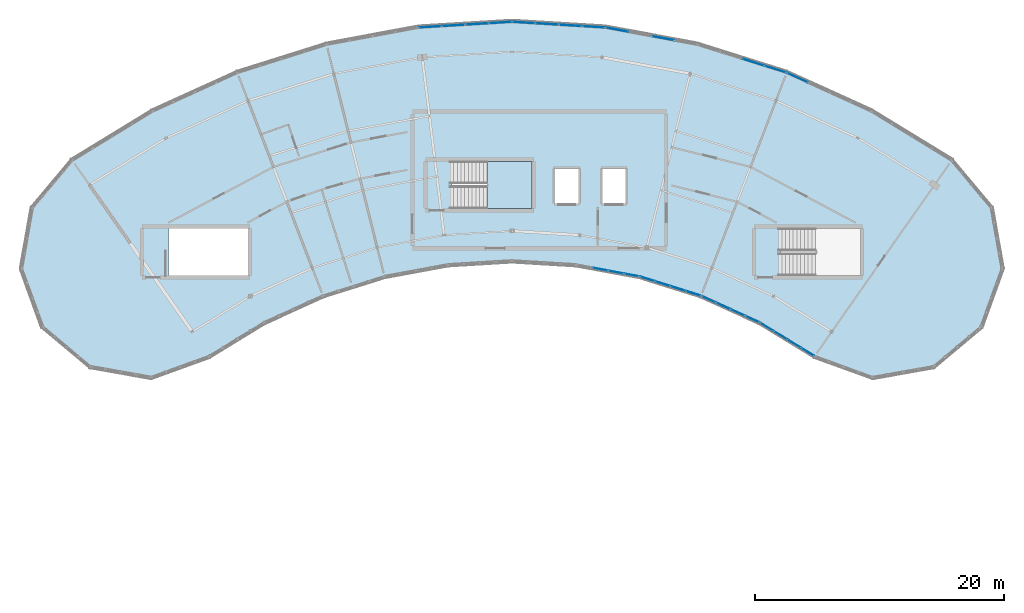
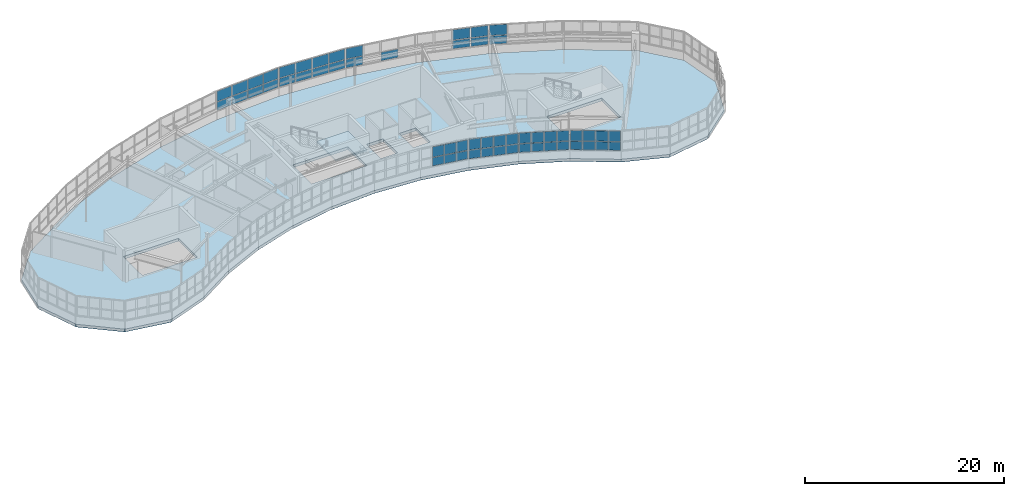
# One storey, part 43 of 60: 55 plates, 2 slabs, 10 elements without a shape of their own.
"""IFC4 building model written with IfcOpenShell, lengths in metres."""

from ifc_helpers import new_model, si_unit, direction, frame, origin, origin_2d, place, context, subcontext, project, spatial, polyline, rectangle, outline, extrude, material, layer, layer_set, type_object, element, aggregate, save


model = new_model("IFC4")

# Units and contexts
model_context = context("Model", 3, precision=1e-05, world=origin(), true_north=direction((0.0, 1.0)))
body_context = subcontext(model_context, "Body", "Model", "MODEL_VIEW")
ifc_project = project(units=[si_unit("LENGTHUNIT", "METRE"), si_unit("AREAUNIT", "SQUARE_METRE"), si_unit("VOLUMEUNIT", "CUBIC_METRE"), si_unit("PLANEANGLEUNIT", "RADIAN"), si_unit("MASSUNIT", "GRAM", prefix="KILO")], contexts=[model_context])

# Site, building, storey
site_placement = place(None, origin())
site = spatial("IfcSite", under=ifc_project, at=site_placement, CompositionType="ELEMENT")
building_placement = place(site_placement, origin())
building = spatial("IfcBuilding", under=site, at=building_placement, Name="Tarnwether General Hospital", CompositionType="ELEMENT")
storey_placement = place(building_placement, frame((0.0, 0.0, 26.10009765625)))
storey = spatial("IfcBuildingStorey", under=building, at=storey_placement, Name="L06", CompositionType="ELEMENT", Elevation=26.10009765625)

# Curtain wall, plates
ifc_material_1 = material(Name="Anodised aluminium", Category="aluminium")
ifc_layer_1 = layer(ifc_material_1, 0.159912109375)
ifc_layer_set_1 = layer_set([ifc_layer_1], Name="Anodised aluminium")
curtain_wall_type_1 = type_object("IfcCurtainWallType", Name="CW-04", PredefinedType="NOTDEFINED", material=ifc_layer_set_1)
curtain_wall_1_placement = place(storey_placement, origin())
curtain_wall_1 = element("IfcCurtainWall", 1, at=curtain_wall_1_placement, inside=storey, type_object=curtain_wall_type_1, Name="Curtain Wall CWG-L06-1023_1041-0108", PredefinedType="NOTDEFINED")
ifc_material_2 = material(Name="Double glazed low-E glass", Category="glass")
ifc_layer_2 = layer(ifc_material_2, 0.028076171875)
ifc_layer_set_2 = layer_set([ifc_layer_2], Name="Double glazed low-E glass")
plate_type_1 = type_object("IfcPlateType", Name="PT-CWP1", PredefinedType="CURTAIN_PANEL", material=ifc_layer_set_2)
plate_1_placement = place(storey_placement, frame((101.60107421875, 104.262451171875, 1.1298828125), z_axis=(0.0, 0.0, 1.0), x_axis=(-0.983267910924, 0.182165351666, 0.0)))
plate_1 = element("IfcPlate", 2, at=plate_1_placement, type_object=plate_type_1, Name="CW-04 panel 1.1", PredefinedType="CURTAIN_PANEL", context=body_context, shape_type="SweptSolid", body=[
    extrude(rectangle(XDim=1.174072265625, YDim=0.028076171875, at=origin_2d()), origin(), (0.0, 0.0, 1.0), 1.002685546875),
])
plate_2_placement = place(storey_placement, frame((101.60107421875, 104.262451171875, 2.212890625), z_axis=(0.0, 0.0, 1.0), x_axis=(-0.983267910924, 0.182165351666, 0.0)))
plate_2 = element("IfcPlate", 3, at=plate_2_placement, type_object=plate_type_1, Name="CW-04 panel 1.2", PredefinedType="CURTAIN_PANEL", context=body_context, shape_type="SweptSolid", body=[
    extrude(rectangle(XDim=1.174072265625, YDim=0.028076171875, at=origin_2d()), origin(), (0.0, 0.0, 1.0), 1.252197265625),
])
plate_3_placement = place(storey_placement, frame((100.34814453125, 104.49462890625, 1.1298828125), z_axis=(0.0, 0.0, 1.0), x_axis=(-0.983267910924, 0.182165351666, 0.0)))
plate_3 = element("IfcPlate", 4, at=plate_3_placement, type_object=plate_type_1, Name="CW-04 panel 2.1", PredefinedType="CURTAIN_PANEL", context=body_context, shape_type="SweptSolid", body=[
    extrude(rectangle(XDim=1.214111328125, YDim=0.028076171875, at=origin_2d()), origin(), (0.0, 0.0, 1.0), 1.002685546875),
])
plate_4_placement = place(storey_placement, frame((100.34814453125, 104.49462890625, 2.212890625), z_axis=(0.0, 0.0, 1.0), x_axis=(-0.983267910924, 0.182165351666, 0.0)))
plate_4 = element("IfcPlate", 5, at=plate_4_placement, type_object=plate_type_1, Name="CW-04 panel 2.2", PredefinedType="CURTAIN_PANEL", context=body_context, shape_type="SweptSolid", body=[
    extrude(rectangle(XDim=1.214111328125, YDim=0.028076171875, at=origin_2d()), origin(), (0.0, 0.0, 1.0), 1.252197265625),
])
plate_5_placement = place(storey_placement, frame((99.07568359375, 104.73046875, 1.1298828125), z_axis=(0.0, 0.0, 1.0), x_axis=(-0.983267910924, 0.182165351666, 0.0)))
plate_5 = element("IfcPlate", 6, at=plate_5_placement, type_object=plate_type_1, Name="CW-04 panel 3.1", PredefinedType="CURTAIN_PANEL", context=body_context, shape_type="SweptSolid", body=[
    extrude(rectangle(XDim=1.214111328125, YDim=0.028076171875, at=origin_2d()), origin(), (0.0, 0.0, 1.0), 1.002685546875),
])
plate_6_placement = place(storey_placement, frame((99.07568359375, 104.73046875, 2.212890625), z_axis=(0.0, 0.0, 1.0), x_axis=(-0.983267910924, 0.182165351666, 0.0)))
plate_6 = element("IfcPlate", 7, at=plate_6_placement, type_object=plate_type_1, Name="CW-04 panel 3.2", PredefinedType="CURTAIN_PANEL", context=body_context, shape_type="SweptSolid", body=[
    extrude(rectangle(XDim=1.214111328125, YDim=0.028076171875, at=origin_2d()), origin(), (0.0, 0.0, 1.0), 1.252197265625),
])
aggregate(curtain_wall_1, [plate_1, plate_2, plate_3, plate_4, plate_5, plate_6])

curtain_wall_2_placement = place(storey_placement, origin())
curtain_wall_2 = element("IfcCurtainWall", 8, at=curtain_wall_2_placement, inside=storey, type_object=curtain_wall_type_1, Name="Curtain Wall CWG-L06-1119_1004-0110", PredefinedType="NOTDEFINED")
plate_7_placement = place(storey_placement, frame((111.30126953125, 100.712646484375, 1.1201171875), z_axis=(0.0, 0.0, 1.0), x_axis=(-0.90995590549, 0.41470501572, 0.0)))
plate_7 = element("IfcPlate", 9, at=plate_7_placement, type_object=plate_type_1, Name="CW-04 panel 1.1", PredefinedType="CURTAIN_PANEL", context=body_context, shape_type="SweptSolid", body=[
    extrude(rectangle(XDim=1.189208984375, YDim=0.028076171875, at=origin_2d()), origin(), (0.0, 0.0, 1.0), 1.017822265625),
])
plate_8_placement = place(storey_placement, frame((111.30126953125, 100.712646484375, 2.207763671875), z_axis=(0.0, 0.0, 1.0), x_axis=(-0.90995590549, 0.41470501572, 0.0)))
plate_8 = element("IfcPlate", 10, at=plate_8_placement, type_object=plate_type_1, Name="CW-04 panel 1.2", PredefinedType="CURTAIN_PANEL", context=body_context, shape_type="SweptSolid", body=[
    extrude(rectangle(XDim=1.189208984375, YDim=0.028076171875, at=origin_2d()), origin(), (0.0, 0.0, 1.0), 1.26708984375),
])
plate_9_placement = place(storey_placement, frame((110.139404296875, 101.2421875, 1.1201171875), z_axis=(0.0, 0.0, 1.0), x_axis=(-0.90995590549, 0.41470501572, 0.0)))
plate_9 = element("IfcPlate", 11, at=plate_9_placement, type_object=plate_type_1, Name="CW-04 panel 2.1", PredefinedType="CURTAIN_PANEL", context=body_context, shape_type="SweptSolid", body=[
    extrude(rectangle(XDim=1.224365234375, YDim=0.028076171875, at=origin_2d()), origin(), (0.0, 0.0, 1.0), 1.017822265625),
])
plate_10_placement = place(storey_placement, frame((110.139404296875, 101.2421875, 2.207763671875), z_axis=(0.0, 0.0, 1.0), x_axis=(-0.90995590549, 0.41470501572, 0.0)))
plate_10 = element("IfcPlate", 12, at=plate_10_placement, type_object=plate_type_1, Name="CW-04 panel 2.2", PredefinedType="CURTAIN_PANEL", context=body_context, shape_type="SweptSolid", body=[
    extrude(rectangle(XDim=1.224365234375, YDim=0.028076171875, at=origin_2d()), origin(), (0.0, 0.0, 1.0), 1.26708984375),
])
plate_11_placement = place(storey_placement, frame((108.961669921875, 101.77880859375, 1.1201171875), z_axis=(0.0, 0.0, 1.0), x_axis=(-0.90995590549, 0.41470501572, 0.0)))
plate_11 = element("IfcPlate", 13, at=plate_11_placement, type_object=plate_type_1, Name="CW-04 panel 3.1", PredefinedType="CURTAIN_PANEL", context=body_context, shape_type="SweptSolid", body=[
    extrude(rectangle(XDim=1.224365234375, YDim=0.028076171875, at=origin_2d()), origin(), (0.0, 0.0, 1.0), 1.017822265625),
])
plate_12_placement = place(storey_placement, frame((108.961669921875, 101.77880859375, 2.207763671875), z_axis=(0.0, 0.0, 1.0), x_axis=(-0.90995590549, 0.41470501572, 0.0)))
plate_12 = element("IfcPlate", 14, at=plate_12_placement, type_object=plate_type_1, Name="CW-04 panel 3.2", PredefinedType="CURTAIN_PANEL", context=body_context, shape_type="SweptSolid", body=[
    extrude(rectangle(XDim=1.224365234375, YDim=0.028076171875, at=origin_2d()), origin(), (0.0, 0.0, 1.0), 1.26708984375),
])
plate_13_placement = place(storey_placement, frame((107.7998046875, 102.308349609375, 1.1201171875), z_axis=(0.0, 0.0, 1.0), x_axis=(-0.90995590549, 0.41470501572, 0.0)))
plate_13 = element("IfcPlate", 15, at=plate_13_placement, type_object=plate_type_1, Name="CW-04 panel 4.1", PredefinedType="CURTAIN_PANEL", context=body_context, shape_type="SweptSolid", body=[
    extrude(rectangle(XDim=1.189208984375, YDim=0.028076171875, at=origin_2d()), origin(), (0.0, 0.0, 1.0), 1.017822265625),
])
plate_14_placement = place(storey_placement, frame((107.7998046875, 102.308349609375, 2.207763671875), z_axis=(0.0, 0.0, 1.0), x_axis=(-0.90995590549, 0.41470501572, 0.0)))
plate_14 = element("IfcPlate", 16, at=plate_14_placement, type_object=plate_type_1, Name="CW-04 panel 4.2", PredefinedType="CURTAIN_PANEL", context=body_context, shape_type="SweptSolid", body=[
    extrude(rectangle(XDim=1.189208984375, YDim=0.028076171875, at=origin_2d()), origin(), (0.0, 0.0, 1.0), 1.26708984375),
])
aggregate(curtain_wall_2, [plate_7, plate_8, plate_9, plate_10, plate_11, plate_12, plate_13, plate_14])

curtain_wall_3_placement = place(storey_placement, origin())
curtain_wall_3 = element("IfcCurtainWall", 17, at=curtain_wall_3_placement, inside=storey, type_object=curtain_wall_type_1, Name="Curtain Wall CWG-L06-1163_977-0111", PredefinedType="NOTDEFINED")
plate_15_placement = place(storey_placement, frame((115.75439453125, 98.07861328125, 1.11474609375), z_axis=(0.0, 0.0, 1.0), x_axis=(-0.852631789198, 0.522512231483, 0.0)))
plate_15 = element("IfcPlate", 18, at=plate_15_placement, type_object=plate_type_1, Name="CW-04 panel 1.1", PredefinedType="CURTAIN_PANEL", context=body_context, shape_type="SweptSolid", body=[
    extrude(rectangle(XDim=1.19677734375, YDim=0.028076171875, at=origin_2d()), origin(), (0.0, 0.0, 1.0), 1.025390625),
])
plate_16_placement = place(storey_placement, frame((115.75439453125, 98.07861328125, 2.205078125), z_axis=(0.0, 0.0, 1.0), x_axis=(-0.852631789198, 0.522512231483, 0.0)))
plate_16 = element("IfcPlate", 19, at=plate_16_placement, type_object=plate_type_1, Name="CW-04 panel 1.2", PredefinedType="CURTAIN_PANEL", context=body_context, shape_type="SweptSolid", body=[
    extrude(rectangle(XDim=1.19677734375, YDim=0.028076171875, at=origin_2d()), origin(), (0.0, 0.0, 1.0), 1.274658203125),
])
plate_17_placement = place(storey_placement, frame((114.664794921875, 98.746337890625, 1.11474609375), z_axis=(0.0, 0.0, 1.0), x_axis=(-0.852631789198, 0.522512231483, 0.0)))
plate_17 = element("IfcPlate", 20, at=plate_17_placement, type_object=plate_type_1, Name="CW-04 panel 2.1", PredefinedType="CURTAIN_PANEL", context=body_context, shape_type="SweptSolid", body=[
    extrude(rectangle(XDim=1.229248046875, YDim=0.028076171875, at=origin_2d()), origin(), (0.0, 0.0, 1.0), 1.025390625),
])
plate_18_placement = place(storey_placement, frame((114.664794921875, 98.746337890625, 2.205078125), z_axis=(0.0, 0.0, 1.0), x_axis=(-0.852631789198, 0.522512231483, 0.0)))
plate_18 = element("IfcPlate", 21, at=plate_18_placement, type_object=plate_type_1, Name="CW-04 panel 2.2", PredefinedType="CURTAIN_PANEL", context=body_context, shape_type="SweptSolid", body=[
    extrude(rectangle(XDim=1.229248046875, YDim=0.028076171875, at=origin_2d()), origin(), (0.0, 0.0, 1.0), 1.274658203125),
])
plate_19_placement = place(storey_placement, frame((113.561279296875, 99.422607421875, 1.11474609375), z_axis=(0.0, 0.0, 1.0), x_axis=(-0.852631789198, 0.522512231483, 0.0)))
plate_19 = element("IfcPlate", 22, at=plate_19_placement, type_object=plate_type_1, Name="CW-04 panel 3.1", PredefinedType="CURTAIN_PANEL", context=body_context, shape_type="SweptSolid", body=[
    extrude(rectangle(XDim=1.229248046875, YDim=0.028076171875, at=origin_2d()), origin(), (0.0, 0.0, 1.0), 1.025390625),
])
plate_20_placement = place(storey_placement, frame((113.561279296875, 99.422607421875, 2.205078125), z_axis=(0.0, 0.0, 1.0), x_axis=(-0.852631789198, 0.522512231483, 0.0)))
plate_20 = element("IfcPlate", 23, at=plate_20_placement, type_object=plate_type_1, Name="CW-04 panel 3.2", PredefinedType="CURTAIN_PANEL", context=body_context, shape_type="SweptSolid", body=[
    extrude(rectangle(XDim=1.229248046875, YDim=0.028076171875, at=origin_2d()), origin(), (0.0, 0.0, 1.0), 1.274658203125),
])
plate_21_placement = place(storey_placement, frame((112.4716796875, 100.09033203125, 1.11474609375), z_axis=(0.0, 0.0, 1.0), x_axis=(-0.852631789198, 0.522512231483, 0.0)))
plate_21 = element("IfcPlate", 24, at=plate_21_placement, type_object=plate_type_1, Name="CW-04 panel 4.1", PredefinedType="CURTAIN_PANEL", context=body_context, shape_type="SweptSolid", body=[
    extrude(rectangle(XDim=1.19677734375, YDim=0.028076171875, at=origin_2d()), origin(), (0.0, 0.0, 1.0), 1.025390625),
])
plate_22_placement = place(storey_placement, frame((112.4716796875, 100.09033203125, 2.205078125), z_axis=(0.0, 0.0, 1.0), x_axis=(-0.852631789198, 0.522512231483, 0.0)))
plate_22 = element("IfcPlate", 25, at=plate_22_placement, type_object=plate_type_1, Name="CW-04 panel 4.2", PredefinedType="CURTAIN_PANEL", context=body_context, shape_type="SweptSolid", body=[
    extrude(rectangle(XDim=1.19677734375, YDim=0.028076171875, at=origin_2d()), origin(), (0.0, 0.0, 1.0), 1.274658203125),
])
aggregate(curtain_wall_3, [plate_15, plate_16, plate_17, plate_18, plate_19, plate_20, plate_21, plate_22])

ifc_material_3 = material(Name="Anodised aluminium", Category="aluminium")
ifc_layer_3 = layer(ifc_material_3, 0.179931640625)
ifc_layer_set_3 = layer_set([ifc_layer_3], Name="Anodised aluminium")
curtain_wall_type_2 = type_object("IfcCurtainWallType", Name="CW-06", PredefinedType="NOTDEFINED", material=ifc_layer_set_3)
curtain_wall_4_placement = place(storey_placement, origin())
curtain_wall_4 = element("IfcCurtainWall", 26, at=curtain_wall_4_placement, inside=storey, type_object=curtain_wall_type_2, Name="Curtain Wall CWG-L06-1141_1205-0119", PredefinedType="NOTDEFINED")
plate_23_placement = place(storey_placement, frame((114.9453125, 120.1123046875, 1.11474609375), z_axis=(0.0, 0.0, 1.0), x_axis=(0.909960793886, -0.414694289316, 0.0)))
plate_23 = element("IfcPlate", 27, at=plate_23_placement, type_object=plate_type_1, Name="CW-06 panel 1.1", PredefinedType="CURTAIN_PANEL", context=body_context, shape_type="SweptSolid", body=[
    extrude(rectangle(XDim=1.78271484375, YDim=0.028076171875, at=origin_2d()), origin(), (0.0, 0.0, 1.0), 1.025390625),
])
plate_24_placement = place(storey_placement, frame((114.9453125, 120.1123046875, 2.205078125), z_axis=(0.0, 0.0, 1.0), x_axis=(0.909960793886, -0.414694289316, 0.0)))
plate_24 = element("IfcPlate", 28, at=plate_24_placement, type_object=plate_type_1, Name="CW-06 panel 1.2", PredefinedType="CURTAIN_PANEL", context=body_context, shape_type="SweptSolid", body=[
    extrude(rectangle(XDim=1.78271484375, YDim=0.028076171875, at=origin_2d()), origin(), (0.0, 0.0, 1.0), 1.274658203125),
])
aggregate(curtain_wall_4, [plate_23, plate_24])

curtain_wall_5_placement = place(storey_placement, origin())
curtain_wall_5 = element("IfcCurtainWall", 29, at=curtain_wall_5_placement, inside=storey, type_object=curtain_wall_type_2, Name="Curtain Wall CWG-L06-1069_1228-0120", PredefinedType="NOTDEFINED")
plate_25_placement = place(storey_placement, frame((111.385009765625, 121.35693359375, 1.1298828125), z_axis=(0.0, 0.0, 1.0), x_axis=(0.953741284032, -0.300628613299, 0.0)))
plate_25 = element("IfcPlate", 30, at=plate_25_placement, type_object=plate_type_1, Name="CW-06 panel 3.1", PredefinedType="CURTAIN_PANEL", context=body_context, shape_type="SweptSolid", body=[
    extrude(rectangle(XDim=1.80029296875, YDim=0.028076171875, at=origin_2d()), origin(), (0.0, 0.0, 1.0), 1.002685546875),
])
plate_26_placement = place(storey_placement, frame((111.385009765625, 121.35693359375, 2.212890625), z_axis=(0.0, 0.0, 1.0), x_axis=(0.953741284032, -0.300628613299, 0.0)))
plate_26 = element("IfcPlate", 31, at=plate_26_placement, type_object=plate_type_1, Name="CW-06 panel 3.2", PredefinedType="CURTAIN_PANEL", context=body_context, shape_type="SweptSolid", body=[
    extrude(rectangle(XDim=1.80029296875, YDim=0.028076171875, at=origin_2d()), origin(), (0.0, 0.0, 1.0), 1.252197265625),
])
plate_27_placement = place(storey_placement, frame((113.1591796875, 120.797607421875, 1.1298828125), z_axis=(0.0, 0.0, 1.0), x_axis=(0.953741284032, -0.300628613299, 0.0)))
plate_27 = element("IfcPlate", 32, at=plate_27_placement, type_object=plate_type_1, Name="CW-06 panel 4.1", PredefinedType="CURTAIN_PANEL", context=body_context, shape_type="SweptSolid", body=[
    extrude(rectangle(XDim=1.76025390625, YDim=0.028076171875, at=origin_2d()), origin(), (0.0, 0.0, 1.0), 1.002685546875),
])
plate_28_placement = place(storey_placement, frame((113.1591796875, 120.797607421875, 2.212890625), z_axis=(0.0, 0.0, 1.0), x_axis=(0.953741284032, -0.300628613299, 0.0)))
plate_28 = element("IfcPlate", 33, at=plate_28_placement, type_object=plate_type_1, Name="CW-06 panel 4.2", PredefinedType="CURTAIN_PANEL", context=body_context, shape_type="SweptSolid", body=[
    extrude(rectangle(XDim=1.76025390625, YDim=0.028076171875, at=origin_2d()), origin(), (0.0, 0.0, 1.0), 1.252197265625),
])
aggregate(curtain_wall_5, [plate_25, plate_26, plate_27, plate_28])

curtain_wall_6_placement = place(storey_placement, origin())
curtain_wall_6 = element("IfcCurtainWall", 34, at=curtain_wall_6_placement, inside=storey, type_object=curtain_wall_type_2, Name="Curtain Wall CWG-L06-920_1246-0122", PredefinedType="NOTDEFINED")
plate_29_placement = place(storey_placement, frame((92.955810546875, 124.54150390625, 1.1201171875), z_axis=(0.0, 0.0, 1.0), x_axis=(0.998135995608, -0.061028962567, 0.0)))
plate_29 = element("IfcPlate", 35, at=plate_29_placement, type_object=plate_type_1, Name="CW-06 panel 1.1", PredefinedType="CURTAIN_PANEL", context=body_context, shape_type="SweptSolid", body=[
    extrude(rectangle(XDim=1.775146484375, YDim=0.028076171875, at=origin_2d()), origin(), (0.0, 0.0, 1.0), 1.017822265625),
])
plate_30_placement = place(storey_placement, frame((92.955810546875, 124.54150390625, 2.207763671875), z_axis=(0.0, 0.0, 1.0), x_axis=(0.998135995608, -0.061028962567, 0.0)))
plate_30 = element("IfcPlate", 36, at=plate_30_placement, type_object=plate_type_1, Name="CW-06 panel 1.2", PredefinedType="CURTAIN_PANEL", context=body_context, shape_type="SweptSolid", body=[
    extrude(rectangle(XDim=1.775146484375, YDim=0.028076171875, at=origin_2d()), origin(), (0.0, 0.0, 1.0), 1.26708984375),
])
plate_31_placement = place(storey_placement, frame((94.815185546875, 124.427978515625, 1.1201171875), z_axis=(0.0, 0.0, 1.0), x_axis=(0.998135995608, -0.061028962567, 0.0)))
plate_31 = element("IfcPlate", 37, at=plate_31_placement, type_object=plate_type_1, Name="CW-06 panel 2.1", PredefinedType="CURTAIN_PANEL", context=body_context, shape_type="SweptSolid", body=[
    extrude(rectangle(XDim=1.810302734375, YDim=0.028076171875, at=origin_2d()), origin(), (0.0, 0.0, 1.0), 1.017822265625),
])
plate_32_placement = place(storey_placement, frame((94.815185546875, 124.427978515625, 2.207763671875), z_axis=(0.0, 0.0, 1.0), x_axis=(0.998135995608, -0.061028962567, 0.0)))
plate_32 = element("IfcPlate", 38, at=plate_32_placement, type_object=plate_type_1, Name="CW-06 panel 2.2", PredefinedType="CURTAIN_PANEL", context=body_context, shape_type="SweptSolid", body=[
    extrude(rectangle(XDim=1.810302734375, YDim=0.028076171875, at=origin_2d()), origin(), (0.0, 0.0, 1.0), 1.26708984375),
])
plate_33_placement = place(storey_placement, frame((96.69189453125, 124.313232421875, 1.1201171875), z_axis=(0.0, 0.0, 1.0), x_axis=(0.998135995608, -0.061028962567, 0.0)))
plate_33 = element("IfcPlate", 39, at=plate_33_placement, type_object=plate_type_1, Name="CW-06 panel 3.1", PredefinedType="CURTAIN_PANEL", context=body_context, shape_type="SweptSolid", body=[
    extrude(rectangle(XDim=1.810302734375, YDim=0.028076171875, at=origin_2d()), origin(), (0.0, 0.0, 1.0), 1.017822265625),
])
plate_34_placement = place(storey_placement, frame((96.69189453125, 124.313232421875, 2.207763671875), z_axis=(0.0, 0.0, 1.0), x_axis=(0.998135995608, -0.061028962567, 0.0)))
plate_34 = element("IfcPlate", 40, at=plate_34_placement, type_object=plate_type_1, Name="CW-06 panel 3.2", PredefinedType="CURTAIN_PANEL", context=body_context, shape_type="SweptSolid", body=[
    extrude(rectangle(XDim=1.810302734375, YDim=0.028076171875, at=origin_2d()), origin(), (0.0, 0.0, 1.0), 1.26708984375),
])
plate_35_placement = place(storey_placement, frame((98.55126953125, 124.199462890625, 1.1201171875), z_axis=(0.0, 0.0, 1.0), x_axis=(0.998135995608, -0.061028962567, 0.0)))
plate_35 = element("IfcPlate", 41, at=plate_35_placement, type_object=plate_type_1, Name="CW-06 panel 4.1", PredefinedType="CURTAIN_PANEL", context=body_context, shape_type="SweptSolid", body=[
    extrude(rectangle(XDim=1.775146484375, YDim=0.028076171875, at=origin_2d()), origin(), (0.0, 0.0, 1.0), 1.017822265625),
])
plate_36_placement = place(storey_placement, frame((98.55126953125, 124.199462890625, 2.207763671875), z_axis=(0.0, 0.0, 1.0), x_axis=(0.998135995608, -0.061028962567, 0.0)))
plate_36 = element("IfcPlate", 42, at=plate_36_placement, type_object=plate_type_1, Name="CW-06 panel 4.2", PredefinedType="CURTAIN_PANEL", context=body_context, shape_type="SweptSolid", body=[
    extrude(rectangle(XDim=1.775146484375, YDim=0.028076171875, at=origin_2d()), origin(), (0.0, 0.0, 1.0), 1.26708984375),
])
aggregate(curtain_wall_6, [plate_29, plate_30, plate_31, plate_32, plate_33, plate_34, plate_35, plate_36])

curtain_wall_7_placement = place(storey_placement, origin())
curtain_wall_7 = element("IfcCurtainWall", 43, at=curtain_wall_7_placement, inside=storey, type_object=curtain_wall_type_2, Name="Curtain Wall CWG-L06-845_1241-0123", PredefinedType="NOTDEFINED")
plate_37_placement = place(storey_placement, frame((85.447509765625, 124.199462890625, 1.11474609375), z_axis=(0.0, 0.0, 1.0), x_axis=(0.998135995608, 0.061028962567, 0.0)))
plate_37 = element("IfcPlate", 44, at=plate_37_placement, type_object=plate_type_1, Name="CW-06 panel 1.1", PredefinedType="CURTAIN_PANEL", context=body_context, shape_type="SweptSolid", body=[
    extrude(rectangle(XDim=1.78271484375, YDim=0.028076171875, at=origin_2d()), origin(), (0.0, 0.0, 1.0), 1.025390625),
])
plate_38_placement = place(storey_placement, frame((85.447509765625, 124.199462890625, 2.205078125), z_axis=(0.0, 0.0, 1.0), x_axis=(0.998135995608, 0.061028962567, 0.0)))
plate_38 = element("IfcPlate", 45, at=plate_38_placement, type_object=plate_type_1, Name="CW-06 panel 1.2", PredefinedType="CURTAIN_PANEL", context=body_context, shape_type="SweptSolid", body=[
    extrude(rectangle(XDim=1.78271484375, YDim=0.028076171875, at=origin_2d()), origin(), (0.0, 0.0, 1.0), 1.274658203125),
])
plate_39_placement = place(storey_placement, frame((87.30810546875, 124.313232421875, 1.11474609375), z_axis=(0.0, 0.0, 1.0), x_axis=(0.998135995608, 0.061028962567, 0.0)))
plate_39 = element("IfcPlate", 46, at=plate_39_placement, type_object=plate_type_1, Name="CW-06 panel 2.1", PredefinedType="CURTAIN_PANEL", context=body_context, shape_type="SweptSolid", body=[
    extrude(rectangle(XDim=1.815185546875, YDim=0.028076171875, at=origin_2d()), origin(), (0.0, 0.0, 1.0), 1.025390625),
])
plate_40_placement = place(storey_placement, frame((87.30810546875, 124.313232421875, 2.205078125), z_axis=(0.0, 0.0, 1.0), x_axis=(0.998135995608, 0.061028962567, 0.0)))
plate_40 = element("IfcPlate", 47, at=plate_40_placement, type_object=plate_type_1, Name="CW-06 panel 2.2", PredefinedType="CURTAIN_PANEL", context=body_context, shape_type="SweptSolid", body=[
    extrude(rectangle(XDim=1.815185546875, YDim=0.028076171875, at=origin_2d()), origin(), (0.0, 0.0, 1.0), 1.274658203125),
])
plate_41_placement = place(storey_placement, frame((89.184814453125, 124.427978515625, 1.11474609375), z_axis=(0.0, 0.0, 1.0), x_axis=(0.998135995608, 0.061028962567, 0.0)))
plate_41 = element("IfcPlate", 48, at=plate_41_placement, type_object=plate_type_1, Name="CW-06 panel 3.1", PredefinedType="CURTAIN_PANEL", context=body_context, shape_type="SweptSolid", body=[
    extrude(rectangle(XDim=1.815185546875, YDim=0.028076171875, at=origin_2d()), origin(), (0.0, 0.0, 1.0), 1.025390625),
])
plate_42_placement = place(storey_placement, frame((89.184814453125, 124.427978515625, 2.205078125), z_axis=(0.0, 0.0, 1.0), x_axis=(0.998135995608, 0.061028962567, 0.0)))
plate_42 = element("IfcPlate", 49, at=plate_42_placement, type_object=plate_type_1, Name="CW-06 panel 3.2", PredefinedType="CURTAIN_PANEL", context=body_context, shape_type="SweptSolid", body=[
    extrude(rectangle(XDim=1.815185546875, YDim=0.028076171875, at=origin_2d()), origin(), (0.0, 0.0, 1.0), 1.274658203125),
])
plate_43_placement = place(storey_placement, frame((91.04541015625, 124.541748046875, 1.11474609375), z_axis=(0.0, 0.0, 1.0), x_axis=(0.998135995608, 0.061028962567, 0.0)))
plate_43 = element("IfcPlate", 50, at=plate_43_placement, type_object=plate_type_1, Name="CW-06 panel 4.1", PredefinedType="CURTAIN_PANEL", context=body_context, shape_type="SweptSolid", body=[
    extrude(rectangle(XDim=1.78271484375, YDim=0.028076171875, at=origin_2d()), origin(), (0.0, 0.0, 1.0), 1.025390625),
])
plate_44_placement = place(storey_placement, frame((91.04541015625, 124.541748046875, 2.205078125), z_axis=(0.0, 0.0, 1.0), x_axis=(0.998135995608, 0.061028962567, 0.0)))
plate_44 = element("IfcPlate", 51, at=plate_44_placement, type_object=plate_type_1, Name="CW-06 panel 4.2", PredefinedType="CURTAIN_PANEL", context=body_context, shape_type="SweptSolid", body=[
    extrude(rectangle(XDim=1.78271484375, YDim=0.028076171875, at=origin_2d()), origin(), (0.0, 0.0, 1.0), 1.274658203125),
])
aggregate(curtain_wall_7, [plate_37, plate_38, plate_39, plate_40, plate_41, plate_42, plate_43, plate_44])

curtain_wall_8_placement = place(storey_placement, origin())
curtain_wall_8 = element("IfcCurtainWall", 52, at=curtain_wall_8_placement, inside=storey, type_object=curtain_wall_type_1, Name="Curtain Wall CWG-L06-1072_1026-0109", PredefinedType="NOTDEFINED")
ifc_material_4 = material(Name="Double glazed low-E glass", Category="glass")
ifc_layer_4 = layer(ifc_material_4, 0.035888671875)
ifc_layer_set_4 = layer_set([ifc_layer_4], Name="Double glazed low-E glass")
plate_type_2 = type_object("IfcPlateType", Name="PT-CWP2", PredefinedType="CURTAIN_PANEL", material=ifc_layer_set_4)
plate_45_placement = place(storey_placement, frame((106.5634765625, 102.783203125, 1.10986328125), z_axis=(0.0, 0.0, 1.0), x_axis=(-0.953713927508, 0.30071538783, 0.0)))
plate_45 = element("IfcPlate", 53, at=plate_45_placement, type_object=plate_type_2, Name="CW-04 panel 1.1", PredefinedType="CURTAIN_PANEL", context=body_context, shape_type="SweptSolid", body=[
    extrude(rectangle(XDim=1.204345703125, YDim=0.035888671875, at=origin_2d()), origin(), (0.0, 0.0, 1.0), 1.03271484375),
])
plate_46_placement = place(storey_placement, frame((106.5634765625, 102.783203125, 2.20263671875), z_axis=(0.0, 0.0, 1.0), x_axis=(-0.953713927508, 0.30071538783, 0.0)))
plate_46 = element("IfcPlate", 54, at=plate_46_placement, type_object=plate_type_2, Name="CW-04 panel 1.2", PredefinedType="CURTAIN_PANEL", context=body_context, shape_type="SweptSolid", body=[
    extrude(rectangle(XDim=1.204345703125, YDim=0.035888671875, at=origin_2d()), origin(), (0.0, 0.0, 1.0), 1.2822265625),
])
plate_47_placement = place(storey_placement, frame((105.34326171875, 103.16796875, 1.10986328125), z_axis=(0.0, 0.0, 1.0), x_axis=(-0.953713927508, 0.30071538783, 0.0)))
plate_47 = element("IfcPlate", 55, at=plate_47_placement, type_object=plate_type_2, Name="CW-04 panel 2.1", PredefinedType="CURTAIN_PANEL", context=body_context, shape_type="SweptSolid", body=[
    extrude(rectangle(XDim=1.234375, YDim=0.035888671875, at=origin_2d()), origin(), (0.0, 0.0, 1.0), 1.03271484375),
])
plate_48_placement = place(storey_placement, frame((105.34326171875, 103.16796875, 2.20263671875), z_axis=(0.0, 0.0, 1.0), x_axis=(-0.953713927508, 0.30071538783, 0.0)))
plate_48 = element("IfcPlate", 56, at=plate_48_placement, type_object=plate_type_2, Name="CW-04 panel 2.2", PredefinedType="CURTAIN_PANEL", context=body_context, shape_type="SweptSolid", body=[
    extrude(rectangle(XDim=1.234375, YDim=0.035888671875, at=origin_2d()), origin(), (0.0, 0.0, 1.0), 1.2822265625),
])
plate_49_placement = place(storey_placement, frame((104.108642578125, 103.55712890625, 1.10986328125), z_axis=(0.0, 0.0, 1.0), x_axis=(-0.953713927508, 0.30071538783, 0.0)))
plate_49 = element("IfcPlate", 57, at=plate_49_placement, type_object=plate_type_2, Name="CW-04 panel 3.1", PredefinedType="CURTAIN_PANEL", context=body_context, shape_type="SweptSolid", body=[
    extrude(rectangle(XDim=1.234375, YDim=0.035888671875, at=origin_2d()), origin(), (0.0, 0.0, 1.0), 1.03271484375),
])
plate_50_placement = place(storey_placement, frame((104.108642578125, 103.55712890625, 2.20263671875), z_axis=(0.0, 0.0, 1.0), x_axis=(-0.953713927508, 0.30071538783, 0.0)))
plate_50 = element("IfcPlate", 58, at=plate_50_placement, type_object=plate_type_2, Name="CW-04 panel 3.2", PredefinedType="CURTAIN_PANEL", context=body_context, shape_type="SweptSolid", body=[
    extrude(rectangle(XDim=1.234375, YDim=0.035888671875, at=origin_2d()), origin(), (0.0, 0.0, 1.0), 1.2822265625),
])
plate_51_placement = place(storey_placement, frame((102.888671875, 103.94189453125, 1.10986328125), z_axis=(0.0, 0.0, 1.0), x_axis=(-0.953713927508, 0.30071538783, 0.0)))
plate_51 = element("IfcPlate", 59, at=plate_51_placement, type_object=plate_type_2, Name="CW-04 panel 4.1", PredefinedType="CURTAIN_PANEL", context=body_context, shape_type="SweptSolid", body=[
    extrude(rectangle(XDim=1.204345703125, YDim=0.035888671875, at=origin_2d()), origin(), (0.0, 0.0, 1.0), 1.03271484375),
])
plate_52_placement = place(storey_placement, frame((102.888671875, 103.94189453125, 2.20263671875), z_axis=(0.0, 0.0, 1.0), x_axis=(-0.953713927508, 0.30071538783, 0.0)))
plate_52 = element("IfcPlate", 60, at=plate_52_placement, type_object=plate_type_2, Name="CW-04 panel 4.2", PredefinedType="CURTAIN_PANEL", context=body_context, shape_type="SweptSolid", body=[
    extrude(rectangle(XDim=1.204345703125, YDim=0.035888671875, at=origin_2d()), origin(), (0.0, 0.0, 1.0), 1.2822265625),
])
aggregate(curtain_wall_8, [plate_45, plate_46, plate_47, plate_48, plate_49, plate_50, plate_51, plate_52])

curtain_wall_9_placement = place(storey_placement, origin())
curtain_wall_9 = element("IfcCurtainWall", 61, at=curtain_wall_9_placement, inside=storey, type_object=curtain_wall_type_2, Name="Curtain Wall CWG-L06-995_1241-0121", PredefinedType="NOTDEFINED")
plate_53_placement = place(storey_placement, frame((100.446044921875, 123.966796875, 1.10986328125), z_axis=(0.0, 0.0, 1.0), x_axis=(0.983244953132, -0.182289226614, 0.0)))
plate_53 = element("IfcPlate", 62, at=plate_53_placement, type_object=plate_type_2, Name="CW-06 panel 1.1", PredefinedType="CURTAIN_PANEL", context=body_context, shape_type="SweptSolid", body=[
    extrude(rectangle(XDim=1.790283203125, YDim=0.035888671875, at=origin_2d()), origin(), (0.0, 0.0, 1.0), 1.03271484375),
])
plate_54_placement = place(storey_placement, frame((100.446044921875, 123.966796875, 2.20263671875), z_axis=(0.0, 0.0, 1.0), x_axis=(0.983244953132, -0.182289226614, 0.0)))
plate_54 = element("IfcPlate", 63, at=plate_54_placement, type_object=plate_type_2, Name="CW-06 panel 1.2", PredefinedType="CURTAIN_PANEL", context=body_context, shape_type="SweptSolid", body=[
    extrude(rectangle(XDim=1.790283203125, YDim=0.035888671875, at=origin_2d()), origin(), (0.0, 0.0, 1.0), 1.2822265625),
])
plate_55_placement = place(storey_placement, frame((104.12890625, 123.2841796875, 1.10986328125), z_axis=(0.0, 0.0, 1.0), x_axis=(0.983244953132, -0.182289226614, 0.0)))
plate_55 = element("IfcPlate", 64, at=plate_55_placement, type_object=plate_type_2, Name="CW-06 panel 3.1", PredefinedType="CURTAIN_PANEL", context=body_context, shape_type="SweptSolid", body=[
    extrude(rectangle(XDim=1.8203125, YDim=0.035888671875, at=origin_2d()), origin(), (0.0, 0.0, 1.0), 1.03271484375),
])
aggregate(curtain_wall_9, [plate_53, plate_54, plate_55])

# Slab
ifc_material_5 = material(Name="Concrete 40 MPa", Category="concrete")
ifc_layer_5 = layer(ifc_material_5, 0.340087890625)
ifc_layer_set_5 = layer_set([ifc_layer_5], Name="Concrete 40 MPa")
slab_type_1 = type_object("IfcSlabType", Name="SL-FL180", PredefinedType="FLOOR", material=ifc_layer_set_5)
slab_1_placement = place(storey_placement, frame((0.0, 0.0, -0.340087890625)))
element("IfcSlab", 65, at=slab_1_placement, inside=storey, type_object=slab_type_1, Name="L06 North-West Paediatric Ward Floor SL-L06-WNW", PredefinedType="FLOOR", context=body_context, shape_type="SweptSolid", body=[
    extrude(outline(polyline([(56.66796875, 113.4599609375), (63.0810546875, 117.389892578125), (69.925048828125, 120.509033203125), (77.097900390625, 122.77001953125), (84.492919921875, 124.14111328125), (92.0, 124.60009765625), (99.507080078125, 124.14111328125), (106.902099609375, 122.77001953125), (114.074951171875, 120.509033203125), (120.9189453125, 117.389892578125), (127.33203125, 113.4599609375), (130.527099609375, 109.653076171875), (131.388916015625, 104.759033203125), (129.68994140625, 100.090087890625), (125.883056640625, 96.89501953125), (120.989013671875, 96.031982421875), (116.320068359375, 97.73193359375), (111.906005859375, 100.43701171875), (107.195068359375, 102.583984375), (102.257080078125, 104.14111328125), (97.1669921875, 105.083984375), (92.0, 105.39990234375), (86.8330078125, 105.083984375), (81.742919921875, 104.14111328125), (76.804931640625, 102.583984375), (72.093994140625, 100.43701171875), (67.679931640625, 97.73193359375), (63.010986328125, 96.031982421875), (58.116943359375, 96.89501953125), (54.31005859375, 100.090087890625), (52.611083984375, 104.759033203125), (53.472900390625, 109.653076171875), (56.66796875, 113.4599609375)]), holes=[polyline([(64.3798828125, 108.0), (64.3798828125, 104.199951171875), (70.800048828125, 104.199951171875), (70.800048828125, 108.0), (64.3798828125, 108.0)]), polyline([(113.580078125, 108.0), (113.580078125, 104.199951171875), (120.0, 104.199951171875), (120.0, 108.0), (113.580078125, 108.0)]), polyline([(95.419921875, 112.830078125), (95.419921875, 109.969970703125), (97.3798828125, 109.969970703125), (97.3798828125, 112.830078125), (95.419921875, 112.830078125)]), polyline([(101.179931640625, 112.830078125), (99.219970703125, 112.830078125), (99.219970703125, 109.969970703125), (101.179931640625, 109.969970703125), (101.179931640625, 112.830078125)]), polyline([(93.60009765625, 113.39990234375), (87.179931640625, 113.39990234375), (87.179931640625, 109.60009765625), (93.60009765625, 109.60009765625), (93.60009765625, 113.39990234375)])]), origin(), (0.0, 0.0, 1.0), 0.340087890625),
])

# Stair, slab
ifc_material_6 = material(Name="Concrete 40 MPa", Category="concrete")
stair_type = type_object("IfcStairType", Name="ST-DL39A", PredefinedType="HALF_TURN_STAIR", material=ifc_material_6)
stair_placement = place(storey_placement, origin())
stair = element("IfcStair", 66, at=stair_placement, inside=storey, type_object=stair_type, Name="L06 Exit Stair ST-01", PredefinedType="HALF_TURN_STAIR")
ifc_material_7 = material(Name="Concrete 40 MPa", Category="concrete")
ifc_layer_6 = layer(ifc_material_7, 0.199951171875)
ifc_layer_set_6 = layer_set([ifc_layer_6], Name="Concrete 40 MPa")
slab_type_2 = type_object("IfcSlabType", Name="SL-LD200", PredefinedType="LANDING", material=ifc_layer_set_6)
slab_2_placement = place(storey_placement, frame((0.0, 0.0, 1.75)))
slab_2 = element("IfcSlab", 67, at=slab_2_placement, type_object=slab_type_2, Name="ST-01 landing 1", PredefinedType="LANDING", context=body_context, shape_type="SweptSolid", body=[
    extrude(outline(polyline([(90.0, 109.60009765625), (93.60009765625, 109.60009765625), (93.60009765625, 113.39990234375), (90.0, 113.39990234375), (90.0, 109.60009765625)])), origin(), (0.0, 0.0, 1.0), 0.199951171875),
])
aggregate(stair, [slab_2])

save(model, "model.ifc")
